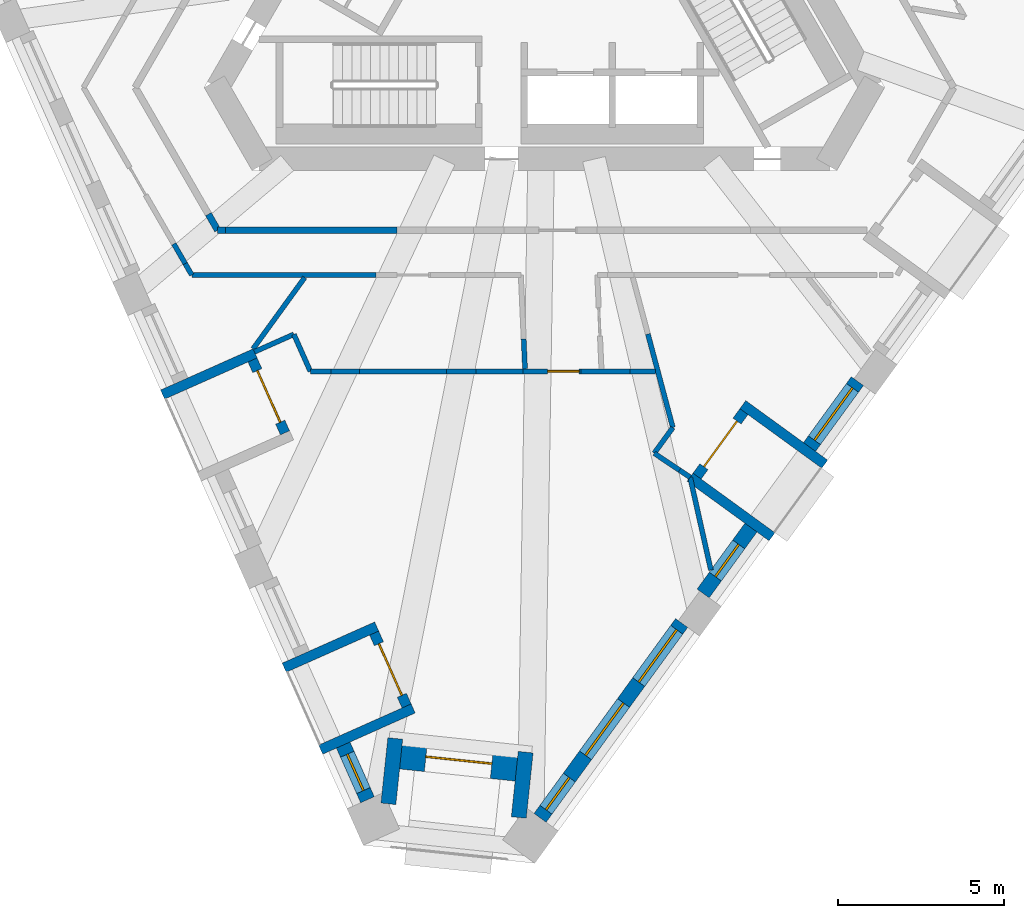
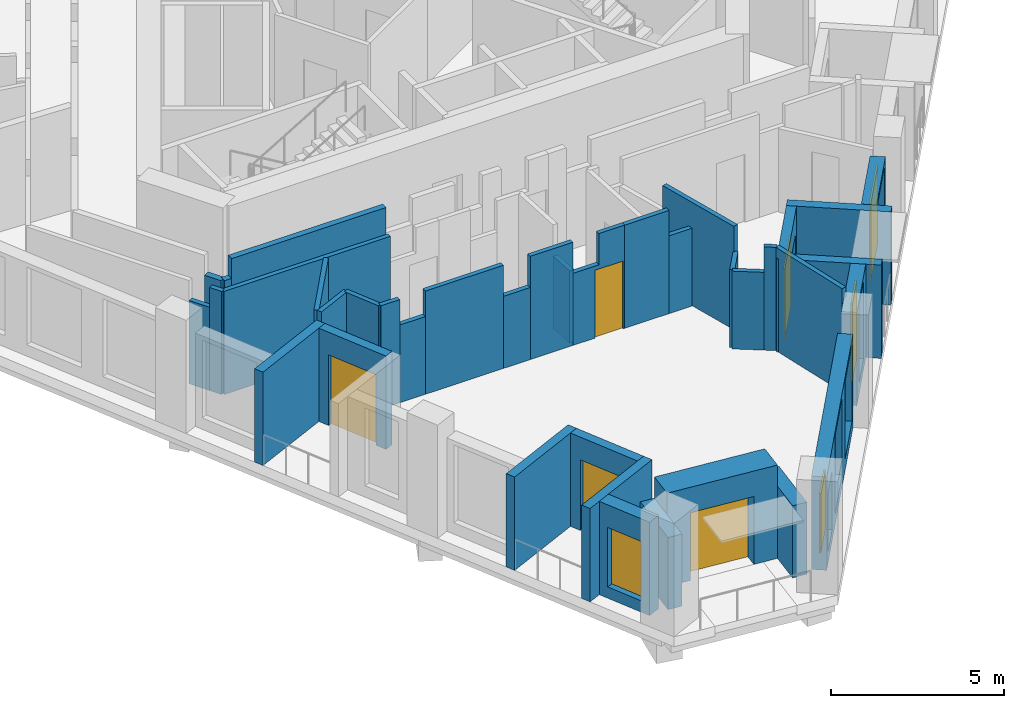
# One storey, part 2 of 11: 38 walls, 6 windows, 5 doors, 11 openings.
"""IFC4 building model written with IfcOpenShell, lengths in metres."""

from ifc_helpers import new_model, si_unit, direction, frame, frame_2d, origin, place, context, subcontext, project, spatial, polyline, rectangle, outline, extrude, material, layer, layer_set, type_object, element, fill, save


model = new_model("IFC4")

# Units and contexts
model_context = context("Model", 3, precision=1e-05, world=origin(), true_north=direction((0.0, 1.0)))
body_context = subcontext(model_context, "Body", "Model", "MODEL_VIEW")
ifc_project = project(units=[si_unit("LENGTHUNIT", "METRE"), si_unit("AREAUNIT", "SQUARE_METRE"), si_unit("VOLUMEUNIT", "CUBIC_METRE"), si_unit("PLANEANGLEUNIT", "RADIAN"), si_unit("MASSUNIT", "GRAM", prefix="KILO")], contexts=[model_context])

# Site, building, storey
site_placement = place(None, origin())
site = spatial("IfcSite", under=ifc_project, at=site_placement, CompositionType="ELEMENT")
building_placement = place(site_placement, origin())
building = spatial("IfcBuilding", under=site, at=building_placement, Name="Tramontana Tower", CompositionType="ELEMENT")
storey_placement = place(building_placement, frame((0.0, 0.0, 265.199951171875)))
storey = spatial("IfcBuildingStorey", under=building, at=storey_placement, Name="L62", CompositionType="ELEMENT", Elevation=265.199951171875)

# Walls
ifc_material_1 = material(Name="Blockwork", Category="masonry")
ifc_layer_1 = layer(ifc_material_1, 0.199951171875)
ifc_layer_set_1 = layer_set([ifc_layer_1], Name="ENTRY WALL 200")
wall_type_1 = type_object("IfcWallType", Name="ENTRY WALL 200", PredefinedType="SOLIDWALL", material=ifc_layer_set_1)
wall_1_placement = place(storey_placement, frame((-4.447998046875, -8.550048828125, 0.0), z_axis=(0.0, 0.0, 1.0), x_axis=(-1.0, 0.0, 0.0)))
element("IfcWall", 1, at=wall_1_placement, inside=storey, type_object=wall_type_1, Name="Wall v62-ew1-10", PredefinedType="SOLIDWALL", context=body_context, shape_type="SweptSolid", body=[
    extrude(rectangle(XDim=5.161376953125, YDim=0.199951171875, at=frame_2d((2.58056640625, 0.0))), origin(), (0.0, 0.0, 1.0), 3.650146484375),
])
wall_2_placement = place(storey_placement, frame((-9.609375, -8.550048828125, 0.0), z_axis=(0.0, 0.0, 1.0), x_axis=(-1.0, 0.0, 0.0)))
element("IfcWall", 2, at=wall_2_placement, inside=storey, type_object=wall_type_1, Name="Wall v62-ew1-11", PredefinedType="SOLIDWALL", context=body_context, shape_type="SweptSolid", body=[
    extrude(rectangle(XDim=0.234375, YDim=0.199951171875, at=frame_2d((0.1171875, 0.0))), origin(), (0.0, 0.0, 1.0), 2.949951171875),
])
wall_3_placement = place(storey_placement, frame((-9.84375, -8.550048828125, 0.0), z_axis=(0.0, 0.0, 1.0), x_axis=(-0.500000383388, 0.866025182435, 0.0)))
element("IfcWall", 3, at=wall_3_placement, inside=storey, type_object=wall_type_1, Name="Wall v62-ew2-0", PredefinedType="SOLIDWALL", context=body_context, shape_type="SweptSolid", body=[
    extrude(rectangle(XDim=0.5576171875, YDim=0.199951171875, at=frame_2d((0.27880859375, 0.0))), origin(), (0.0, 0.0, 1.0), 2.949951171875),
])

# Wall, opening, window
ifc_material_2 = material(Name="Precast concrete 60 MPa", Category="concrete")
ifc_layer_2 = layer(ifc_material_2, 0.449951171875)
ifc_layer_set_2 = layer_set([ifc_layer_2], Name="Precast concrete 60 MPa, 450 mm")
wall_type_2 = type_object("IfcWallType", Name="EW1 Stone-faced precast wall 450", PredefinedType="SOLIDWALL", material=ifc_layer_set_2)
wall_4_placement = place(storey_placement, frame((-6.062744140625, -24.060546875, 0.0), z_axis=(0.0, 0.0, 1.0), x_axis=(0.406666293293, -0.913576776138, 0.0)))
wall_4 = element("IfcWall", 4, at=wall_4_placement, inside=storey, type_object=wall_type_2, Name="External wall L62 face 0 bay 5", PredefinedType="SOLIDWALL", context=body_context, shape_type="SweptSolid", body=[
    extrude(rectangle(XDim=1.80224609375, YDim=0.449951171875, at=frame_2d((0.901123046875, 0.0))), origin(), (0.0, 0.0, 1.0), 3.300048828125),
])
opening_1_placement = place(wall_4_placement, frame((0.301025390625, 0.0, 0.39990234375)))
opening_1 = element("IfcOpeningElement", 5, at=opening_1_placement, cuts=wall_4, Name="Opening N3L", PredefinedType="OPENING", context=body_context, shape_type="SweptSolid", body=[
    extrude(rectangle(XDim=1.199951171875, YDim=2.10009765625, at=frame_2d((0.60009765625, 1.050048828125))), frame((0.0, 0.23486328125, 0.0), z_axis=(0.0, -1.0, 0.0), x_axis=(1.0, 0.0, 0.0)), (0.0, 0.0, 1.0), 0.469970703125),
])
ifc_material_3 = material(Name="Aluminum frame, double glazing unit", Category="aluminium")
window_type_1 = type_object("IfcWindowType", Name="N3L Window 1.2 x 2.1", PartitioningType="SINGLE_PANEL", PredefinedType="WINDOW", material=ifc_material_3)
window_1_placement = place(opening_1_placement, origin())
window_1 = element("IfcWindow", 6, at=window_1_placement, inside=storey, type_object=window_type_1, Name="Window N3L L62 face 0 module 15", OverallHeight=2.10009765625, OverallWidth=1.199951171875, PartitioningType="SINGLE_PANEL", PredefinedType="WINDOW", context=body_context, shape_type="SweptSolid", body=[
    extrude(rectangle(XDim=1.199951171875, YDim=2.10009765625, at=frame_2d((0.60009765625, 1.050048828125))), frame((0.0, 0.030029296875, 0.0), z_axis=(0.0, -1.0, 0.0), x_axis=(1.0, 0.0, 0.0)), (0.0, 0.0, 1.0), 0.06005859375),
])
fill(opening_1, window_1)

# Wall, openings, windows
wall_5_placement = place(storey_placement, frame((-0.13134765625, -26.25341796875, 0.0), z_axis=(0.0, 0.0, 1.0), x_axis=(0.587781549195, 0.80901968482, 0.0)))
wall_5 = element("IfcWall", 7, at=wall_5_placement, inside=storey, type_object=wall_type_2, Name="External wall L62 face 1 bay 1", PredefinedType="SOLIDWALL", context=body_context, shape_type="SweptSolid", body=[
    extrude(rectangle(XDim=7.2568359375, YDim=0.449951171875, at=frame_2d((3.62841796875, 0.0))), origin(), (0.0, 0.0, 1.0), 3.300048828125),
])
opening_2_placement = place(wall_5_placement, frame((0.301025390625, 0.0, 0.39990234375)))
opening_2 = element("IfcOpeningElement", 8, at=opening_2_placement, cuts=wall_5, Name="Opening N3L", PredefinedType="OPENING", context=body_context, shape_type="SweptSolid", body=[
    extrude(rectangle(XDim=1.199951171875, YDim=2.10009765625, at=frame_2d((0.60009765625, 1.050048828125))), frame((0.0, 0.23486328125, 0.0), z_axis=(0.0, -1.0, 0.0), x_axis=(1.0, 0.0, 0.0)), (0.0, 0.0, 1.0), 0.469970703125),
])
opening_3_placement = place(wall_5_placement, frame((2.328369140625, 0.0, 0.39990234375)))
opening_3 = element("IfcOpeningElement", 9, at=opening_3_placement, cuts=wall_5, Name="Opening M3", PredefinedType="OPENING", context=body_context, shape_type="SweptSolid", body=[
    extrude(rectangle(XDim=1.949951171875, YDim=2.75, at=frame_2d((0.97509765625, 1.375))), frame((0.0, 0.23486328125, 0.0), z_axis=(0.0, -1.0, 0.0), x_axis=(1.0, 0.0, 0.0)), (0.0, 0.0, 1.0), 0.469970703125),
])
opening_4_placement = place(wall_5_placement, frame((5.0556640625, 0.0, 0.39990234375)))
opening_4 = element("IfcOpeningElement", 10, at=opening_4_placement, cuts=wall_5, Name="Opening M3", PredefinedType="OPENING", context=body_context, shape_type="SweptSolid", body=[
    extrude(rectangle(XDim=1.949951171875, YDim=2.75, at=frame_2d((0.97509765625, 1.375))), frame((0.0, 0.23486328125, 0.0), z_axis=(0.0, -1.0, 0.0), x_axis=(1.0, 0.0, 0.0)), (0.0, 0.0, 1.0), 0.469970703125),
])
ifc_material_4 = material(Name="Aluminum frame, double glazing unit", Category="aluminium")
window_type_2 = type_object("IfcWindowType", Name="M3 Window 1.95 x 2.75", PartitioningType="SINGLE_PANEL", PredefinedType="WINDOW", material=ifc_material_4)
window_2_placement = place(opening_3_placement, origin())
window_2 = element("IfcWindow", 11, at=window_2_placement, inside=storey, type_object=window_type_2, Name="Window M3 L62 face 1 module 2", OverallHeight=2.75, OverallWidth=1.949951171875, PartitioningType="SINGLE_PANEL", PredefinedType="WINDOW", context=body_context, shape_type="SweptSolid", body=[
    extrude(rectangle(XDim=1.949951171875, YDim=2.75, at=frame_2d((0.97509765625, 1.375))), frame((0.0, 0.030029296875, 0.0), z_axis=(0.0, -1.0, 0.0), x_axis=(1.0, 0.0, 0.0)), (0.0, 0.0, 1.0), 0.06005859375),
])
fill(opening_3, window_2)
window_3_placement = place(opening_4_placement, origin())
window_3 = element("IfcWindow", 12, at=window_3_placement, inside=storey, type_object=window_type_2, Name="Window M3 L62 face 1 module 3", OverallHeight=2.75, OverallWidth=1.949951171875, PartitioningType="SINGLE_PANEL", PredefinedType="WINDOW", context=body_context, shape_type="SweptSolid", body=[
    extrude(rectangle(XDim=1.949951171875, YDim=2.75, at=frame_2d((0.97509765625, 1.375))), frame((0.0, 0.030029296875, 0.0), z_axis=(0.0, -1.0, 0.0), x_axis=(1.0, 0.0, 0.0)), (0.0, 0.0, 1.0), 0.06005859375),
])
fill(opening_4, window_3)
window_4_placement = place(opening_2_placement, origin())
window_4 = element("IfcWindow", 13, at=window_4_placement, inside=storey, type_object=window_type_1, Name="Window N3L L62 face 1 module 1", OverallHeight=2.10009765625, OverallWidth=1.199951171875, PartitioningType="SINGLE_PANEL", PredefinedType="WINDOW", context=body_context, shape_type="SweptSolid", body=[
    extrude(rectangle(XDim=1.199951171875, YDim=2.10009765625, at=frame_2d((0.60009765625, 1.050048828125))), frame((0.0, 0.030029296875, 0.0), z_axis=(0.0, -1.0, 0.0), x_axis=(1.0, 0.0, 0.0)), (0.0, 0.0, 1.0), 0.06005859375),
])
fill(opening_2, window_4)

# Wall, opening, window
wall_6_placement = place(storey_placement, frame((4.780517578125, -19.49267578125, 0.0), z_axis=(0.0, 0.0, 1.0), x_axis=(0.587792773076, 0.809011530152, 0.0)))
wall_6 = element("IfcWall", 14, at=wall_6_placement, inside=storey, type_object=wall_type_2, Name="External wall L62 face 1 bay 2", PredefinedType="SOLIDWALL", context=body_context, shape_type="SweptSolid", body=[
    extrude(rectangle(XDim=2.4521484375, YDim=0.449951171875, at=frame_2d((1.22607421875, 0.0))), origin(), (0.0, 0.0, 1.0), 3.300048828125),
])
opening_5_placement = place(wall_6_placement, frame((0.626220703125, 0.0, 0.39990234375)))
opening_5 = element("IfcOpeningElement", 15, at=opening_5_placement, cuts=wall_6, Name="Opening N3", PredefinedType="OPENING", context=body_context, shape_type="SweptSolid", body=[
    extrude(rectangle(XDim=1.199951171875, YDim=2.75, at=frame_2d((0.60009765625, 1.375))), frame((0.0, 0.23486328125, 0.0), z_axis=(0.0, -1.0, 0.0), x_axis=(1.0, 0.0, 0.0)), (0.0, 0.0, 1.0), 0.469970703125),
])
ifc_material_5 = material(Name="Aluminum frame, double glazing unit", Category="aluminium")
window_type_3 = type_object("IfcWindowType", Name="N3 Window 1.2 x 2.75", PartitioningType="SINGLE_PANEL", PredefinedType="WINDOW", material=ifc_material_5)
window_5_placement = place(opening_5_placement, origin())
window_5 = element("IfcWindow", 16, at=window_5_placement, inside=storey, type_object=window_type_3, Name="Window N3 L62 face 1 module 4", OverallHeight=2.75, OverallWidth=1.199951171875, PartitioningType="SINGLE_PANEL", PredefinedType="WINDOW", context=body_context, shape_type="SweptSolid", body=[
    extrude(rectangle(XDim=1.199951171875, YDim=2.75, at=frame_2d((0.60009765625, 1.375))), frame((0.0, 0.030029296875, 0.0), z_axis=(0.0, -1.0, 0.0), x_axis=(1.0, 0.0, 0.0)), (0.0, 0.0, 1.0), 0.06005859375),
])
fill(opening_5, window_5)

wall_7_placement = place(storey_placement, frame((7.986572265625, -15.079833984375, 0.0), z_axis=(0.0, 0.0, 1.0), x_axis=(0.587792773076, 0.809011530152, 0.0)))
wall_7 = element("IfcWall", 17, at=wall_7_placement, inside=storey, type_object=wall_type_2, Name="External wall L62 face 1 bay 2", PredefinedType="SOLIDWALL", context=body_context, shape_type="SweptSolid", body=[
    extrude(rectangle(XDim=2.4521484375, YDim=0.449951171875, at=frame_2d((1.22607421875, 0.0))), origin(), (0.0, 0.0, 1.0), 3.300048828125),
])
opening_6_placement = place(wall_7_placement, frame((0.251220703125, 0.0, 0.39990234375)))
opening_6 = element("IfcOpeningElement", 18, at=opening_6_placement, cuts=wall_7, Name="Opening M3", PredefinedType="OPENING", context=body_context, shape_type="SweptSolid", body=[
    extrude(rectangle(XDim=1.949951171875, YDim=2.75, at=frame_2d((0.97509765625, 1.375))), frame((0.0, 0.23486328125, 0.0), z_axis=(0.0, -1.0, 0.0), x_axis=(1.0, 0.0, 0.0)), (0.0, 0.0, 1.0), 0.469970703125),
])
window_6_placement = place(opening_6_placement, origin())
window_6 = element("IfcWindow", 19, at=window_6_placement, inside=storey, type_object=window_type_2, Name="Window M3 L62 face 1 module 6", OverallHeight=2.75, OverallWidth=1.949951171875, PartitioningType="SINGLE_PANEL", PredefinedType="WINDOW", context=body_context, shape_type="SweptSolid", body=[
    extrude(rectangle(XDim=1.949951171875, YDim=2.75, at=frame_2d((0.97509765625, 1.375))), frame((0.0, 0.030029296875, 0.0), z_axis=(0.0, -1.0, 0.0), x_axis=(1.0, 0.0, 0.0)), (0.0, 0.0, 1.0), 0.06005859375),
])
fill(opening_6, window_6)

# Walls
for number, where, z_axis, x_axis, name in (
    (20, (-0.772216796875, -26.2421875, 0.0), (0.0, 0.0, 1.0), (0.104485716945, 0.994526387259, 0.0), "Corner loggia side wall L62 K61l"),
    (21, (-4.70068359375, -25.829345703125, 0.0), (0.0, 0.0, 1.0), (0.104607727594, 0.994513561158, 0.0), "Corner loggia side wall L62 K61r"),
):
    element("IfcWall", number, at=place(storey_placement, frame(where, z_axis=z_axis, x_axis=x_axis)), inside=storey, type_object=wall_type_2, Name=name, PredefinedType="SOLIDWALL", context=body_context, shape_type="SweptSolid", body=[
        extrude(rectangle(XDim=1.97900390625, YDim=0.449951171875, at=frame_2d((0.989501953125, 0.0))), origin(), (0.0, 0.0, 1.0), 2.550048828125),
    ])

# Wall, opening, door
ifc_material_6 = material(Name="Precast concrete 60 MPa", Category="concrete")
ifc_layer_3 = layer(ifc_material_6, 0.89990234375)
ifc_layer_set_3 = layer_set([ifc_layer_3], Name="EW2 Stone-faced corner loggia wall 900")
wall_type_3 = type_object("IfcWallType", Name="EW2 Stone-faced corner loggia wall 900", PredefinedType="SOLIDWALL", material=ifc_layer_set_3)
wall_8_placement = place(storey_placement, frame((-0.836181640625, -24.697998046875, 0.0), z_axis=(0.0, 0.0, 1.0), x_axis=(-0.994518821828, 0.104557701916, 0.0)))
wall_8 = element("IfcWall", 22, at=wall_8_placement, inside=storey, type_object=wall_type_3, Name="Corner loggia wall L62 K61", PredefinedType="SOLIDWALL", context=body_context, shape_type="SweptSolid", body=[
    extrude(rectangle(XDim=3.500244140625, YDim=0.89990234375, at=frame_2d((1.75, 0.0))), origin(), (0.0, 0.0, 1.0), 3.300048828125),
])
opening_7_placement = place(wall_8_placement, frame((0.75, 0.0, 0.0)))
opening_7 = element("IfcOpeningElement", 23, at=opening_7_placement, cuts=wall_8, Name="Opening BD-61C", PredefinedType="OPENING", context=body_context, shape_type="SweptSolid", body=[
    extrude(rectangle(XDim=2.0, YDim=2.39990234375, at=frame_2d((1.0, 1.199951171875))), frame((0.0, 0.4599609375, 0.0), z_axis=(0.0, -1.0, 0.0), x_axis=(1.0, 0.0, 0.0)), (0.0, 0.0, 1.0), 0.919921875),
])
ifc_material_7 = material(Name="Aluminum frame, double glazing unit", Category="aluminium")
door_type_1 = type_object("IfcDoorType", Name="BC1 Sliding door 2 x 2.4", OperationType="SLIDING_TO_LEFT", PredefinedType="DOOR", material=ifc_material_7)
door_1_placement = place(opening_7_placement, origin())
door_1 = element("IfcDoor", 24, at=door_1_placement, inside=storey, type_object=door_type_1, Name="Corner loggia door L62 K61", OperationType="SLIDING_TO_LEFT", OverallHeight=2.39990234375, OverallWidth=2.0, PredefinedType="DOOR", context=body_context, shape_type="SweptSolid", body=[
    extrude(rectangle(XDim=2.0, YDim=2.39990234375, at=frame_2d((1.0, 1.199951171875))), frame((0.0, 0.02490234375, 0.0), z_axis=(0.0, -1.0, 0.0), x_axis=(1.0, 0.0, 0.0)), (0.0, 0.0, 1.0), 0.050048828125),
])
fill(opening_7, door_1)

ifc_material_8 = material(Name="Precast concrete 60 MPa", Category="concrete")
ifc_layer_4 = layer(ifc_material_8, 0.300048828125)
ifc_layer_set_4 = layer_set([ifc_layer_4], Name="LW1 Stone-faced loggia wall 300")
wall_type_4 = type_object("IfcWallType", Name="LW1 Stone-faced loggia wall 300", PredefinedType="SOLIDWALL", material=ifc_layer_set_4)
wall_9_placement = place(storey_placement, frame((-8.792724609375, -12.458984375, 0.0), z_axis=(0.0, 0.0, 1.0), x_axis=(0.406723017018, -0.913551524232, 0.0)))
wall_9 = element("IfcWall", 25, at=wall_9_placement, inside=storey, type_object=wall_type_4, Name="Loggia wall L62 G6S0.10", PredefinedType="SOLIDWALL", context=body_context, shape_type="SweptSolid", body=[
    extrude(rectangle(XDim=2.40234375, YDim=0.300048828125, at=frame_2d((1.201171875, 0.0))), origin(), (0.0, 0.0, 1.0), 3.300048828125),
])
opening_8_placement = place(wall_9_placement, frame((0.35107421875, 0.0, 0.0)))
opening_8 = element("IfcOpeningElement", 26, at=opening_8_placement, cuts=wall_9, Name="Opening BD-6S0-10", PredefinedType="OPENING", context=body_context, shape_type="SweptSolid", body=[
    extrude(rectangle(XDim=1.699951171875, YDim=2.5, at=frame_2d((0.85009765625, 1.25))), frame((0.0, 0.159912109375, 0.0), z_axis=(0.0, -1.0, 0.0), x_axis=(1.0, 0.0, 0.0)), (0.0, 0.0, 1.0), 0.320068359375),
])
ifc_material_9 = material(Name="Aluminum frame, double glazing unit", Category="aluminium")
door_type_2 = type_object("IfcDoorType", Name="BD3 Sliding door 1.7 x 2.5", OperationType="SLIDING_TO_LEFT", PredefinedType="DOOR", material=ifc_material_9)
door_2_placement = place(opening_8_placement, origin())
door_2 = element("IfcDoor", 27, at=door_2_placement, inside=storey, type_object=door_type_2, Name="Loggia door L62 G6S0.10", OperationType="SLIDING_TO_LEFT", OverallHeight=2.5, OverallWidth=1.699951171875, PredefinedType="DOOR", context=body_context, shape_type="SweptSolid", body=[
    extrude(rectangle(XDim=1.699951171875, YDim=2.5, at=frame_2d((0.85009765625, 1.25))), frame((0.0, 0.02490234375, 0.0), z_axis=(0.0, -1.0, 0.0), x_axis=(1.0, 0.0, 0.0)), (0.0, 0.0, 1.0), 0.050048828125),
])
fill(opening_8, door_2)

# Wall
wall_10_placement = place(storey_placement, frame((-11.5029296875, -13.50146484375, 0.0), z_axis=(0.0, 0.0, 1.0), x_axis=(0.913557205168, 0.406710256677, 0.0)))
element("IfcWall", 28, at=wall_10_placement, inside=storey, type_object=wall_type_4, Name="Loggia return L62 G6S0.10a", PredefinedType="SOLIDWALL", context=body_context, shape_type="SweptSolid", body=[
    extrude(rectangle(XDim=3.050048828125, YDim=0.300048828125, at=frame_2d((1.52490234375, 0.0))), origin(), (0.0, 0.0, 1.0), 3.300048828125),
])

# Wall, opening, door
wall_11_placement = place(storey_placement, frame((-5.12939453125, -20.68701171875, 0.0), z_axis=(0.0, 0.0, 1.0), x_axis=(0.406723017018, -0.913551524232, 0.0)))
wall_11 = element("IfcWall", 29, at=wall_11_placement, inside=storey, type_object=wall_type_4, Name="Loggia wall L62 G6S0.13", PredefinedType="SOLIDWALL", context=body_context, shape_type="SweptSolid", body=[
    extrude(rectangle(XDim=2.40234375, YDim=0.300048828125, at=frame_2d((1.201171875, 0.0))), origin(), (0.0, 0.0, 1.0), 3.300048828125),
])
opening_9_placement = place(wall_11_placement, frame((0.35107421875, 0.0, 0.0)))
opening_9 = element("IfcOpeningElement", 30, at=opening_9_placement, cuts=wall_11, Name="Opening BD-6S0-13", PredefinedType="OPENING", context=body_context, shape_type="SweptSolid", body=[
    extrude(rectangle(XDim=1.699951171875, YDim=2.5, at=frame_2d((0.85009765625, 1.25))), frame((0.0, 0.159912109375, 0.0), z_axis=(0.0, -1.0, 0.0), x_axis=(1.0, 0.0, 0.0)), (0.0, 0.0, 1.0), 0.320068359375),
])
door_3_placement = place(opening_9_placement, origin())
door_3 = element("IfcDoor", 31, at=door_3_placement, inside=storey, type_object=door_type_2, Name="Loggia door L62 G6S0.13", OperationType="SLIDING_TO_LEFT", OverallHeight=2.5, OverallWidth=1.699951171875, PredefinedType="DOOR", context=body_context, shape_type="SweptSolid", body=[
    extrude(rectangle(XDim=1.699951171875, YDim=2.5, at=frame_2d((0.85009765625, 1.25))), frame((0.0, 0.02490234375, 0.0), z_axis=(0.0, -1.0, 0.0), x_axis=(1.0, 0.0, 0.0)), (0.0, 0.0, 1.0), 0.050048828125),
])
fill(opening_9, door_3)

# Walls
for number, where, z_axis, x_axis, name in (
    (32, (-7.839599609375, -21.7294921875, 0.0), (0.0, 0.0, 1.0), (0.913557205168, 0.406710256677, 0.0), "Loggia return L62 G6S0.13a"),
    (33, (-6.740478515625, -24.197998046875, 0.0), (0.0, 0.0, 1.0), (0.913557205168, 0.406710256677, 0.0), "Loggia return L62 G6S0.13b"),
):
    element("IfcWall", number, at=place(storey_placement, frame(where, z_axis=z_axis, x_axis=x_axis)), inside=storey, type_object=wall_type_4, Name=name, PredefinedType="SOLIDWALL", context=body_context, shape_type="SweptSolid", body=[
        extrude(rectangle(XDim=3.050048828125, YDim=0.300048828125, at=frame_2d((1.52490234375, 0.0))), origin(), (0.0, 0.0, 1.0), 3.300048828125),
    ])

# Wall, opening, door
wall_12_placement = place(storey_placement, frame((4.59814453125, -15.958251953125, 0.0), z_axis=(0.0, 0.0, 1.0), x_axis=(0.587833242688, 0.808982125137, 0.0)))
wall_12 = element("IfcWall", 34, at=wall_12_placement, inside=storey, type_object=wall_type_4, Name="Loggia wall L62 G6S1.4", PredefinedType="SOLIDWALL", context=body_context, shape_type="SweptSolid", body=[
    extrude(rectangle(XDim=2.40234375, YDim=0.300048828125, at=frame_2d((1.201171875, 0.0))), origin(), (0.0, 0.0, 1.0), 3.300048828125),
])
opening_10_placement = place(wall_12_placement, frame((0.35107421875, 0.0, 0.0)))
opening_10 = element("IfcOpeningElement", 35, at=opening_10_placement, cuts=wall_12, Name="Opening BD-6S1-04", PredefinedType="OPENING", context=body_context, shape_type="SweptSolid", body=[
    extrude(rectangle(XDim=1.699951171875, YDim=2.5, at=frame_2d((0.85009765625, 1.25))), frame((0.0, 0.159912109375, 0.0), z_axis=(0.0, -1.0, 0.0), x_axis=(1.0, 0.0, 0.0)), (0.0, 0.0, 1.0), 0.320068359375),
])
door_4_placement = place(opening_10_placement, origin())
door_4 = element("IfcDoor", 36, at=door_4_placement, inside=storey, type_object=door_type_2, Name="Loggia door L62 G6S1.4", OperationType="SLIDING_TO_LEFT", OverallHeight=2.5, OverallWidth=1.699951171875, PredefinedType="DOOR", context=body_context, shape_type="SweptSolid", body=[
    extrude(rectangle(XDim=1.699951171875, YDim=2.5, at=frame_2d((0.85009765625, 1.25))), frame((0.0, 0.02490234375, 0.0), z_axis=(0.0, -1.0, 0.0), x_axis=(1.0, 0.0, 0.0)), (0.0, 0.0, 1.0), 0.050048828125),
])
fill(opening_10, door_4)

# Walls
for number, where, z_axis, x_axis, name in (
    (37, (6.856201171875, -17.7841796875, 0.0), (0.0, 0.0, 1.0), (-0.80902328748, 0.587776590479, 0.0), "Loggia return L62 G6S1.4a"),
    (38, (8.4443359375, -15.59814453125, 0.0), (0.0, 0.0, 1.0), (-0.808957563125, 0.587867043696, 0.0), "Loggia return L62 G6S1.4b"),
):
    element("IfcWall", number, at=place(storey_placement, frame(where, z_axis=z_axis, x_axis=x_axis)), inside=storey, type_object=wall_type_4, Name=name, PredefinedType="SOLIDWALL", context=body_context, shape_type="SweptSolid", body=[
        extrude(rectangle(XDim=3.050048828125, YDim=0.300048828125, at=frame_2d((1.52490234375, 0.0))), origin(), (0.0, 0.0, 1.0), 3.300048828125),
    ])
ifc_material_10 = material(Name="Gypsum board partition")
ifc_layer_5 = layer(ifc_material_10, 0.14990234375)
ifc_layer_set_5 = layer_set([ifc_layer_5], Name="PARTITION 150")
wall_type_5 = type_object("IfcWallType", Name="PARTITION 150", PredefinedType="PARTITIONING", material=ifc_layer_set_5)
wall_13_placement = place(storey_placement, frame((-10.623291015625, -9.89990234375, 0.0), z_axis=(0.0, 0.0, 1.0), x_axis=(-0.499899443193, 0.866083452501, 0.0)))
element("IfcWall", 39, at=wall_13_placement, inside=storey, type_object=wall_type_5, Name="Wall v62-pw02-0", PredefinedType="PARTITIONING", context=body_context, shape_type="SweptSolid", body=[
    extrude(rectangle(XDim=0.39794921875, YDim=0.14990234375, at=frame_2d((0.198974609375, 0.0))), origin(), (0.0, 0.0, 1.0), 3.650146484375),
])
wall_14_placement = place(storey_placement, frame((-10.822265625, -9.55517578125, 0.0), z_axis=(0.0, 0.0, 1.0), x_axis=(-0.499969057507, 0.866043267704, 0.0)))
element("IfcWall", 40, at=wall_14_placement, inside=storey, type_object=wall_type_5, Name="Wall v62-pw02-1", PredefinedType="PARTITIONING", context=body_context, shape_type="SweptSolid", body=[
    extrude(rectangle(XDim=0.685546875, YDim=0.14990234375, at=frame_2d((0.3427734375, 0.0))), origin(), (0.0, 0.0, 1.0), 2.949951171875),
])
wall_15_placement = place(storey_placement, frame((-8.777587890625, -12.123779296875, 0.0), z_axis=(0.0, 0.0, 1.0), x_axis=(0.58644110754, 0.809991868717, 0.0)))
element("IfcWall", 41, at=wall_15_placement, inside=storey, type_object=wall_type_5, Name="Wall v62-pw06", PredefinedType="PARTITIONING", context=body_context, shape_type="SweptSolid", body=[
    extrude(rectangle(XDim=2.65283203125, YDim=0.14990234375, at=frame_2d((1.326416015625, 0.0))), origin(), (0.0, 0.0, 1.0), 3.650146484375),
])
wall_16_placement = place(storey_placement, frame((-7.551025390625, -11.68701171875, 0.0), z_axis=(0.0, 0.0, 1.0), x_axis=(-0.913539934271, -0.406749048544, 0.0)))
element("IfcWall", 42, at=wall_16_placement, inside=storey, type_object=wall_type_5, Name="Wall v62-pw07", PredefinedType="PARTITIONING", context=body_context, shape_type="SweptSolid", body=[
    extrude(rectangle(XDim=1.29833984375, YDim=0.14990234375, at=frame_2d((0.649169921875, 0.0))), origin(), (0.0, 0.0, 1.0), 3.650146484375),
])
wall_17_placement = place(storey_placement, frame((-7.053466796875, -12.800048828125, 0.0), z_axis=(0.0, 0.0, 1.0), x_axis=(-0.406566453663, 0.913621211857, 0.0)))
element("IfcWall", 43, at=wall_17_placement, inside=storey, type_object=wall_type_5, Name="Wall v62-pw08", PredefinedType="PARTITIONING", context=body_context, shape_type="SweptSolid", body=[
    extrude(rectangle(XDim=1.21728515625, YDim=0.14990234375, at=frame_2d((0.608642578125, 0.0))), origin(), (0.0, 0.0, 1.0), 3.650146484375),
])
wall_18_placement = place(storey_placement, frame((-5.06689453125, -9.89990234375, 0.0), z_axis=(0.0, 0.0, 1.0), x_axis=(-1.0, 0.0, 0.0)))
element("IfcWall", 44, at=wall_18_placement, inside=storey, type_object=wall_type_5, Name="Wall v62-pw11-4", PredefinedType="PARTITIONING", context=body_context, shape_type="SweptSolid", body=[
    extrude(rectangle(XDim=5.556396484375, YDim=0.14990234375, at=frame_2d((2.7783203125, 0.0))), origin(), (0.0, 0.0, 1.0), 3.650146484375),
])
wall_19_placement = place(storey_placement, frame((-0.584716796875, -12.724853515625, 0.0), z_axis=(0.0, 0.0, 1.0), x_axis=(-0.044406655762, 0.999013537908, 0.0)))
element("IfcWall", 45, at=wall_19_placement, inside=storey, type_object=wall_type_5, Name="Wall v62-pw12-0", PredefinedType="PARTITIONING", context=body_context, shape_type="SweptSolid", body=[
    extrude(rectangle(XDim=0.896240234375, YDim=0.14990234375, at=frame_2d((0.4482421875, 0.0))), origin(), (0.0, 0.0, 1.0), 2.550048828125),
])
wall_20_placement = place(storey_placement, frame((3.116943359375, -11.678466796875, 0.0), z_axis=(0.0, 0.0, 1.0), x_axis=(0.257876371525, -0.966177922025, 0.0)))
element("IfcWall", 46, at=wall_20_placement, inside=storey, type_object=wall_type_5, Name="Wall v62-pw14-1", PredefinedType="PARTITIONING", context=body_context, shape_type="SweptSolid", body=[
    extrude(rectangle(XDim=2.9150390625, YDim=0.14990234375, at=frame_2d((1.45751953125, 0.0))), origin(), (0.0, 0.0, 1.0), 3.650146484375),
])
wall_21_placement = place(storey_placement, frame((3.308837890625, -15.26904296875, 0.0), z_axis=(0.0, 0.0, 1.0), x_axis=(0.831108026904, -0.556111002962, 0.0)))
element("IfcWall", 47, at=wall_21_placement, inside=storey, type_object=wall_type_5, Name="Wall v62-pw16-0", PredefinedType="PARTITIONING", context=body_context, shape_type="SweptSolid", body=[
    extrude(rectangle(XDim=0.91796875, YDim=0.14990234375, at=frame_2d((0.458984375, 0.0))), origin(), (0.0, 0.0, 1.0), 2.75),
])
wall_22_placement = place(storey_placement, frame((4.07177734375, -15.779541015625, 0.0), z_axis=(0.0, 0.0, 1.0), x_axis=(0.83126124881, -0.555881944505, 0.0)))
element("IfcWall", 48, at=wall_22_placement, inside=storey, type_object=wall_type_5, Name="Wall v62-pw16-1", PredefinedType="PARTITIONING", context=body_context, shape_type="SweptSolid", body=[
    extrude(rectangle(XDim=0.381103515625, YDim=0.14990234375, at=frame_2d((0.1904296875, 0.0))), origin(), (0.0, 0.0, 1.0), 3.650146484375),
])
wall_23_placement = place(storey_placement, frame((3.338623046875, -12.800048828125, 0.0), z_axis=(0.0, 0.0, 1.0), x_axis=(-1.0, 0.0, 0.0)))
element("IfcWall", 49, at=wall_23_placement, inside=storey, type_object=wall_type_5, Name="Wall v62-pw17-0", PredefinedType="PARTITIONING", context=body_context, shape_type="SweptSolid", body=[
    extrude(rectangle(XDim=0.75634765625, YDim=0.14990234375, at=frame_2d((0.378173828125, 0.0))), origin(), (0.0, 0.0, 1.0), 2.75),
])
wall_24_placement = place(storey_placement, frame((2.582275390625, -12.800048828125, 0.0), z_axis=(0.0, 0.0, 1.0), x_axis=(-1.0, 0.0, 0.0)))
element("IfcWall", 50, at=wall_24_placement, inside=storey, type_object=wall_type_5, Name="Wall v62-pw17-1", PredefinedType="PARTITIONING", context=body_context, shape_type="SweptSolid", body=[
    extrude(rectangle(XDim=1.487548828125, YDim=0.14990234375, at=frame_2d((0.74365234375, 0.0))), origin(), (0.0, 0.0, 1.0), 3.650146484375),
])

# Wall, opening, door
wall_25_placement = place(storey_placement, frame((1.0947265625, -12.800048828125, 0.0), z_axis=(0.0, 0.0, 1.0), x_axis=(-1.0, 0.0, 0.0)))
wall_25 = element("IfcWall", 51, at=wall_25_placement, inside=storey, type_object=wall_type_5, Name="Wall v62-pw17-2", PredefinedType="PARTITIONING", context=body_context, shape_type="SweptSolid", body=[
    extrude(outline(polyline([(0.0, 0.0), (1.734619140625, 0.0), (1.734619140625, 2.550048828125), (0.859619140625, 2.550048828125), (0.859619140625, 3.650146484375), (0.0, 3.650146484375), (0.0, 0.0)])), frame((0.0, 0.074951171875, 0.0), z_axis=(0.0, -1.0, 0.0), x_axis=(1.0, 0.0, 0.0)), (0.0, 0.0, 1.0), 0.14990234375),
])
opening_11_placement = place(wall_25_placement, frame((0.050048828125, 0.0, 0.0)))
opening_11 = element("IfcOpeningElement", 52, at=opening_11_placement, cuts=wall_25, Name="Opening B6C-07", PredefinedType="OPENING", context=body_context, shape_type="SweptSolid", body=[
    extrude(rectangle(XDim=0.949951171875, YDim=2.39990234375, at=frame_2d((0.47509765625, 1.199951171875))), frame((0.0, 0.0849609375, 0.0), z_axis=(0.0, -1.0, 0.0), x_axis=(1.0, 0.0, 0.0)), (0.0, 0.0, 1.0), 0.169921875),
])
ifc_material_11 = material(Name="Painted timber", Category="wood")
door_type_3 = type_object("IfcDoorType", Name="DOOR ROOM 950", OperationType="SINGLE_SWING_LEFT", PredefinedType="DOOR", material=ifc_material_11)
door_5_placement = place(opening_11_placement, origin())
door_5 = element("IfcDoor", 53, at=door_5_placement, inside=storey, type_object=door_type_3, Name="Door B6C-07", OperationType="SINGLE_SWING_LEFT", OverallHeight=2.39990234375, OverallWidth=0.949951171875, PredefinedType="DOOR", context=body_context, shape_type="SweptSolid", body=[
    extrude(rectangle(XDim=0.949951171875, YDim=2.39990234375, at=frame_2d((0.47509765625, 1.199951171875))), frame((0.0, 0.02490234375, 0.0), z_axis=(0.0, -1.0, 0.0), x_axis=(1.0, 0.0, 0.0)), (0.0, 0.0, 1.0), 0.050048828125),
])
fill(opening_11, door_5)

# Walls
wall_26_placement = place(storey_placement, frame((-0.639892578125, -12.800048828125, 0.0), z_axis=(0.0, 0.0, 1.0), x_axis=(-1.0, 0.0, 0.0)))
element("IfcWall", 54, at=wall_26_placement, inside=storey, type_object=wall_type_5, Name="Wall v62-pw17-3", PredefinedType="PARTITIONING", context=body_context, shape_type="SweptSolid", body=[
    extrude(rectangle(XDim=1.42431640625, YDim=0.14990234375, at=frame_2d((0.712158203125, 0.0))), origin(), (0.0, 0.0, 1.0), 3.650146484375),
])
wall_27_placement = place(storey_placement, frame((-2.064208984375, -12.800048828125, 0.0), z_axis=(0.0, 0.0, 1.0), x_axis=(-1.0, 0.0, 0.0)))
element("IfcWall", 55, at=wall_27_placement, inside=storey, type_object=wall_type_5, Name="Wall v62-pw17-4", PredefinedType="PARTITIONING", context=body_context, shape_type="SweptSolid", body=[
    extrude(rectangle(XDim=0.8916015625, YDim=0.14990234375, at=frame_2d((0.44580078125, 0.0))), origin(), (0.0, 0.0, 1.0), 2.550048828125),
])
wall_28_placement = place(storey_placement, frame((-2.955810546875, -12.800048828125, 0.0), z_axis=(0.0, 0.0, 1.0), x_axis=(-1.0, 0.0, 0.0)))
element("IfcWall", 56, at=wall_28_placement, inside=storey, type_object=wall_type_5, Name="Wall v62-pw17-5", PredefinedType="PARTITIONING", context=body_context, shape_type="SweptSolid", body=[
    extrude(rectangle(XDim=2.614013671875, YDim=0.14990234375, at=frame_2d((1.30712890625, 0.0))), origin(), (0.0, 0.0, 1.0), 3.650146484375),
])
wall_29_placement = place(storey_placement, frame((-5.56982421875, -12.800048828125, 0.0), z_axis=(0.0, 0.0, 1.0), x_axis=(-1.0, 0.0, 0.0)))
element("IfcWall", 57, at=wall_29_placement, inside=storey, type_object=wall_type_5, Name="Wall v62-pw17-6", PredefinedType="PARTITIONING", context=body_context, shape_type="SweptSolid", body=[
    extrude(rectangle(XDim=0.85595703125, YDim=0.14990234375, at=frame_2d((0.427978515625, 0.0))), origin(), (0.0, 0.0, 1.0), 2.75),
])
wall_30_placement = place(storey_placement, frame((-6.42578125, -12.800048828125, 0.0), z_axis=(0.0, 0.0, 1.0), x_axis=(-1.0, 0.0, 0.0)))
element("IfcWall", 58, at=wall_30_placement, inside=storey, type_object=wall_type_5, Name="Wall v62-pw17-7", PredefinedType="PARTITIONING", context=body_context, shape_type="SweptSolid", body=[
    extrude(rectangle(XDim=0.62744140625, YDim=0.14990234375, at=frame_2d((0.313720703125, 0.0))), origin(), (0.0, 0.0, 1.0), 3.650146484375),
])
wall_31_placement = place(storey_placement, frame((3.86865234375, -14.4951171875, 0.0), z_axis=(0.0, 0.0, 1.0), x_axis=(-0.587882270879, -0.808946497357, 0.0)))
element("IfcWall", 59, at=wall_31_placement, inside=storey, type_object=wall_type_5, Name="Wall v62-pw18-0", PredefinedType="PARTITIONING", context=body_context, shape_type="SweptSolid", body=[
    extrude(rectangle(XDim=0.953125, YDim=0.14990234375, at=frame_2d((0.4765625, 0.0))), origin(), (0.0, 0.0, 1.0), 2.75),
])
wall_32_placement = place(storey_placement, frame((4.388671875, -15.991455078125, 0.0), z_axis=(0.0, 0.0, 1.0), x_axis=(0.218364570809, -0.975867262601, 0.0)))
element("IfcWall", 60, at=wall_32_placement, inside=storey, type_object=wall_type_5, Name="Wall v62-pw19", PredefinedType="PARTITIONING", context=body_context, shape_type="SweptSolid", body=[
    extrude(rectangle(XDim=2.865478515625, YDim=0.14990234375, at=frame_2d((1.4326171875, 0.0))), origin(), (0.0, 0.0, 1.0), 3.650146484375),
])

save(model, "model.ifc")
